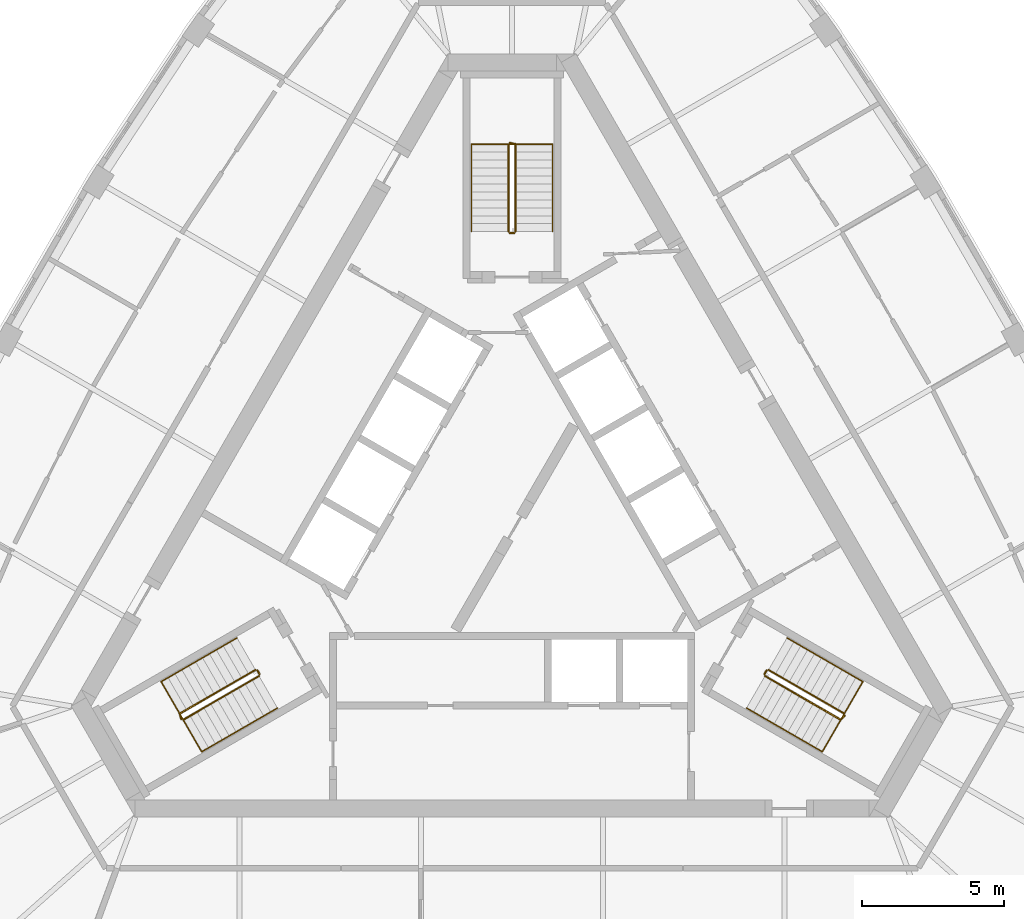
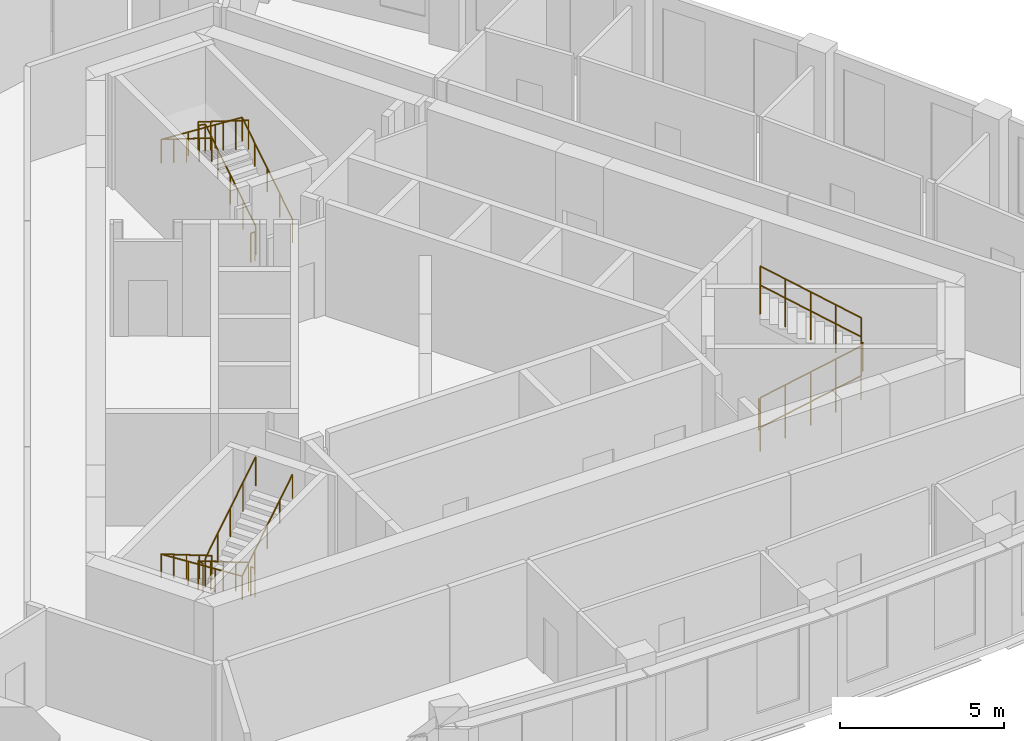
# One storey, part 10 of 10: 12 railings.
"""IFC4 building model written with IfcOpenShell, lengths in metres."""

from ifc_helpers import new_model, si_unit, direction, frame, origin, origin_2d, place, context, subcontext, project, spatial, circle, extrude, material, type_object, element, save


model = new_model("IFC4")

# Units and contexts
model_context = context("Model", 3, precision=1e-05, world=origin(), true_north=direction((0.0, 1.0)))
body_context = subcontext(model_context, "Body", "Model", "MODEL_VIEW")
ifc_project = project(units=[si_unit("LENGTHUNIT", "METRE"), si_unit("AREAUNIT", "SQUARE_METRE"), si_unit("VOLUMEUNIT", "CUBIC_METRE"), si_unit("PLANEANGLEUNIT", "RADIAN"), si_unit("MASSUNIT", "GRAM", prefix="KILO")], contexts=[model_context])

# Site, building, storey
site_placement = place(None, origin())
site = spatial("IfcSite", under=ifc_project, at=site_placement, CompositionType="ELEMENT")
building_placement = place(site_placement, origin())
building = spatial("IfcBuilding", under=site, at=building_placement, Name="Mestral Congress Tower", CompositionType="ELEMENT")
storey_placement = place(building_placement, frame((0.0, 0.0, 267.0)))
storey = spatial("IfcBuildingStorey", under=building, at=storey_placement, Name="L62", CompositionType="ELEMENT", Elevation=267.0)

# Railings
ifc_material_1 = material(Name="Steel balustrade", Category="steel")
railing_type_1 = type_object("IfcRailingType", Name="Stair guard 1100", PredefinedType="GUARDRAIL", material=ifc_material_1)
railing_1_placement = place(storey_placement, frame((8.90087890625, -5.283203125, 0.175048828125)))
element("IfcRailing", 1, at=railing_1_placement, inside=storey, type_object=railing_type_1, Name="L62 ST1 stair guard 1", PredefinedType="GUARDRAIL", context=body_context, shape_type="SweptSolid", body=[
    extrude(circle(Radius=0.02392578125, at=origin_2d()), frame((0.0, 0.0, 1.076171875), z_axis=(0.734364028329, -0.424015404183, 0.530019255228), x_axis=(0.500026652407, 0.866010015463, 0.0)), (0.0, 0.0, 1.0), 3.632080078125),
    extrude(circle(Radius=0.02392578125, at=origin_2d()), frame((2.667236328125, -1.5400390625, 3.0009765625), z_axis=(0.695164929852, 0.718850276695, 0.0), x_axis=(-0.718850276695, 0.695164929852, 0.0)), (0.0, 0.0, 1.0), 0.2060546875),
    extrude(circle(Radius=0.02099609375, at=origin_2d()), origin(), (0.0, 0.0, 1.0), 1.052001953125),
    extrude(circle(Radius=0.02099609375, at=origin_2d()), frame((0.666748046875, -0.385009765625, 0.481201171875)), (0.0, 0.0, 1.0), 1.052001953125),
    extrude(circle(Radius=0.02099609375, at=origin_2d()), frame((1.33349609375, -0.77001953125, 0.96240234375)), (0.0, 0.0, 1.0), 1.052001953125),
    extrude(circle(Radius=0.02099609375, at=origin_2d()), frame((2.00048828125, -1.155029296875, 1.44384765625)), (0.0, 0.0, 1.0), 1.052001953125),
    extrude(circle(Radius=0.02099609375, at=origin_2d()), frame((2.667236328125, -1.5400390625, 1.925048828125)), (0.0, 0.0, 1.0), 1.052001953125),
    extrude(circle(Radius=0.02099609375, at=origin_2d()), frame((2.810546875, -1.391845703125, 1.925048828125)), (0.0, 0.0, 1.0), 1.052001953125),
])
railing_2_placement = place(storey_placement, frame((11.693115234375, -6.606689453125, 2.27490234375)))
element("IfcRailing", 2, at=railing_2_placement, inside=storey, type_object=railing_type_1, Name="L62 ST1 stair guard 2", PredefinedType="GUARDRAIL", context=body_context, shape_type="SweptSolid", body=[
    extrude(circle(Radius=0.02392578125, at=origin_2d()), frame((0.0, 0.0, 1.076171875), z_axis=(-0.734364028329, 0.424015404183, 0.530019255228), x_axis=(-0.500026652407, -0.866010015463, 0.0)), (0.0, 0.0, 1.0), 3.632080078125),
    extrude(circle(Radius=0.02099609375, at=origin_2d()), origin(), (0.0, 0.0, 1.0), 1.052001953125),
    extrude(circle(Radius=0.02099609375, at=origin_2d()), frame((-0.666748046875, 0.385009765625, 0.481201171875)), (0.0, 0.0, 1.0), 1.052001953125),
    extrude(circle(Radius=0.02099609375, at=origin_2d()), frame((-1.33349609375, 0.77001953125, 0.96240234375)), (0.0, 0.0, 1.0), 1.052001953125),
    extrude(circle(Radius=0.02099609375, at=origin_2d()), frame((-2.00048828125, 1.155029296875, 1.44384765625)), (0.0, 0.0, 1.0), 1.052001953125),
    extrude(circle(Radius=0.02099609375, at=origin_2d()), frame((-2.667236328125, 1.5400390625, 1.925048828125)), (0.0, 0.0, 1.0), 1.052001953125),
])
railing_3_placement = place(storey_placement, frame((8.882568359375, -5.21484375, 0.0)))
element("IfcRailing", 3, at=railing_3_placement, inside=storey, type_object=railing_type_1, Name="L62 ST1 stair guard 3", PredefinedType="GUARDRAIL", context=body_context, shape_type="SweptSolid", body=[
    extrude(circle(Radius=0.02392578125, at=origin_2d()), frame((0.0, 0.0, 1.076171875), z_axis=(0.499816412211, 0.866131372301, 0.0), x_axis=(-0.866131372301, 0.499816412211, 0.0)), (0.0, 0.0, 1.0), 0.14990234375),
    extrude(circle(Radius=0.02099609375, at=origin_2d()), origin(), (0.0, 0.0, 1.0), 1.052001953125),
    extrude(circle(Radius=0.02099609375, at=origin_2d()), frame((0.074951171875, 0.1298828125, 0.0)), (0.0, 0.0, 1.0), 1.052001953125),
])
railing_4_placement = place(storey_placement, frame((0.125, 10.35009765625, 0.175048828125)))
element("IfcRailing", 4, at=railing_4_placement, inside=storey, type_object=railing_type_1, Name="L62 ST2 stair guard 1", PredefinedType="GUARDRAIL", context=body_context, shape_type="SweptSolid", body=[
    extrude(circle(Radius=0.02392578125, at=origin_2d()), frame((0.0, 0.0, 1.076171875), z_axis=(0.0, 0.847979421464, 0.530029150871), x_axis=(-1.0, 0.0, 0.0)), (0.0, 0.0, 1.0), 3.632080078125),
    extrude(circle(Radius=0.02392578125, at=origin_2d()), frame((0.0, 3.079833984375, 3.0009765625), z_axis=(-0.970072785993, 0.242814311512, 0.0), x_axis=(-0.242814311512, -0.970072785993, 0.0)), (0.0, 0.0, 1.0), 0.2060546875),
    extrude(circle(Radius=0.02099609375, at=origin_2d()), origin(), (0.0, 0.0, 1.0), 1.052001953125),
    extrude(circle(Radius=0.02099609375, at=origin_2d()), frame((0.0, 0.77001953125, 0.481201171875)), (0.0, 0.0, 1.0), 1.052001953125),
    extrude(circle(Radius=0.02099609375, at=origin_2d()), frame((0.0, 1.5400390625, 0.96240234375)), (0.0, 0.0, 1.0), 1.052001953125),
    extrude(circle(Radius=0.02099609375, at=origin_2d()), frame((0.0, 2.309814453125, 1.44384765625)), (0.0, 0.0, 1.0), 1.052001953125),
    extrude(circle(Radius=0.02099609375, at=origin_2d()), frame((0.0, 3.079833984375, 1.925048828125)), (0.0, 0.0, 1.0), 1.052001953125),
    extrude(circle(Radius=0.02099609375, at=origin_2d()), frame((-0.199951171875, 3.1298828125, 1.925048828125)), (0.0, 0.0, 1.0), 1.052001953125),
])
railing_5_placement = place(storey_placement, frame((-0.125, 13.429931640625, 2.27490234375)))
element("IfcRailing", 5, at=railing_5_placement, inside=storey, type_object=railing_type_1, Name="L62 ST2 stair guard 2", PredefinedType="GUARDRAIL", context=body_context, shape_type="SweptSolid", body=[
    extrude(circle(Radius=0.02392578125, at=origin_2d()), frame((0.0, 0.0, 1.076171875), z_axis=(0.0, -0.847979421464, 0.530029150871), x_axis=(1.0, 0.0, 0.0)), (0.0, 0.0, 1.0), 3.632080078125),
    extrude(circle(Radius=0.02099609375, at=origin_2d()), origin(), (0.0, 0.0, 1.0), 1.052001953125),
    extrude(circle(Radius=0.02099609375, at=origin_2d()), frame((0.0, -0.77001953125, 0.481201171875)), (0.0, 0.0, 1.0), 1.052001953125),
    extrude(circle(Radius=0.02099609375, at=origin_2d()), frame((0.0, -1.5400390625, 0.96240234375)), (0.0, 0.0, 1.0), 1.052001953125),
    extrude(circle(Radius=0.02099609375, at=origin_2d()), frame((0.0, -2.309814453125, 1.44384765625)), (0.0, 0.0, 1.0), 1.052001953125),
    extrude(circle(Radius=0.02099609375, at=origin_2d()), frame((0.0, -3.079833984375, 1.925048828125)), (0.0, 0.0, 1.0), 1.052001953125),
])
railing_6_placement = place(storey_placement, frame((0.074951171875, 10.300048828125, 0.0)))
element("IfcRailing", 6, at=railing_6_placement, inside=storey, type_object=railing_type_1, Name="L62 ST2 stair guard 3", PredefinedType="GUARDRAIL", context=body_context, shape_type="SweptSolid", body=[
    extrude(circle(Radius=0.02392578125, at=origin_2d()), frame((0.0, 0.0, 1.076171875), z_axis=(-1.0, 0.0, 0.0), x_axis=(0.0, -1.0, 0.0)), (0.0, 0.0, 1.0), 0.14990234375),
    extrude(circle(Radius=0.02099609375, at=origin_2d()), origin(), (0.0, 0.0, 1.0), 1.052001953125),
    extrude(circle(Radius=0.02099609375, at=origin_2d()), frame((-0.14990234375, 0.0, 0.0)), (0.0, 0.0, 1.0), 1.052001953125),
])
railing_7_placement = place(storey_placement, frame((-9.02587890625, -5.066650390625, 0.175048828125)))
element("IfcRailing", 7, at=railing_7_placement, inside=storey, type_object=railing_type_1, Name="L62 ST3 stair guard 1", PredefinedType="GUARDRAIL", context=body_context, shape_type="SweptSolid", body=[
    extrude(circle(Radius=0.02392578125, at=origin_2d()), frame((0.0, 0.0, 1.076171875), z_axis=(-0.734364028329, -0.424015404183, 0.530019255228), x_axis=(0.500026652407, -0.866010015463, 0.0)), (0.0, 0.0, 1.0), 3.632080078125),
    extrude(circle(Radius=0.02392578125, at=origin_2d()), frame((-2.667236328125, -1.5400390625, 3.0009765625), z_axis=(0.274721127897, -0.961523947641, 0.0), x_axis=(0.961523947641, 0.274721127897, 0.0)), (0.0, 0.0, 1.0), 0.2060546875),
    extrude(circle(Radius=0.02099609375, at=origin_2d()), origin(), (0.0, 0.0, 1.0), 1.052001953125),
    extrude(circle(Radius=0.02099609375, at=origin_2d()), frame((-0.666748046875, -0.385009765625, 0.481201171875)), (0.0, 0.0, 1.0), 1.052001953125),
    extrude(circle(Radius=0.02099609375, at=origin_2d()), frame((-1.33349609375, -0.77001953125, 0.96240234375)), (0.0, 0.0, 1.0), 1.052001953125),
    extrude(circle(Radius=0.02099609375, at=origin_2d()), frame((-2.00048828125, -1.155029296875, 1.44384765625)), (0.0, 0.0, 1.0), 1.052001953125),
    extrude(circle(Radius=0.02099609375, at=origin_2d()), frame((-2.667236328125, -1.5400390625, 1.925048828125)), (0.0, 0.0, 1.0), 1.052001953125),
    extrude(circle(Radius=0.02099609375, at=origin_2d()), frame((-2.610595703125, -1.73828125, 1.925048828125)), (0.0, 0.0, 1.0), 1.052001953125),
])
railing_8_placement = place(storey_placement, frame((-11.568115234375, -6.8232421875, 2.27490234375)))
element("IfcRailing", 8, at=railing_8_placement, inside=storey, type_object=railing_type_1, Name="L62 ST3 stair guard 2", PredefinedType="GUARDRAIL", context=body_context, shape_type="SweptSolid", body=[
    extrude(circle(Radius=0.02392578125, at=origin_2d()), frame((0.0, 0.0, 1.076171875), z_axis=(0.734364028329, 0.424015404183, 0.530019255228), x_axis=(-0.500026652407, 0.866010015463, 0.0)), (0.0, 0.0, 1.0), 3.632080078125),
    extrude(circle(Radius=0.02099609375, at=origin_2d()), origin(), (0.0, 0.0, 1.0), 1.052001953125),
    extrude(circle(Radius=0.02099609375, at=origin_2d()), frame((0.666748046875, 0.385009765625, 0.481201171875)), (0.0, 0.0, 1.0), 1.052001953125),
    extrude(circle(Radius=0.02099609375, at=origin_2d()), frame((1.33349609375, 0.77001953125, 0.96240234375)), (0.0, 0.0, 1.0), 1.052001953125),
    extrude(circle(Radius=0.02099609375, at=origin_2d()), frame((2.00048828125, 1.155029296875, 1.44384765625)), (0.0, 0.0, 1.0), 1.052001953125),
    extrude(circle(Radius=0.02099609375, at=origin_2d()), frame((2.667236328125, 1.5400390625, 1.925048828125)), (0.0, 0.0, 1.0), 1.052001953125),
])
railing_9_placement = place(storey_placement, frame((-8.95751953125, -5.0849609375, 0.0)))
element("IfcRailing", 9, at=railing_9_placement, inside=storey, type_object=railing_type_1, Name="L62 ST3 stair guard 3", PredefinedType="GUARDRAIL", context=body_context, shape_type="SweptSolid", body=[
    extrude(circle(Radius=0.02392578125, at=origin_2d()), frame((0.0, 0.0, 1.076171875), z_axis=(0.499816412211, -0.866131372301, 0.0), x_axis=(0.866131372301, 0.499816412211, 0.0)), (0.0, 0.0, 1.0), 0.14990234375),
    extrude(circle(Radius=0.02099609375, at=origin_2d()), origin(), (0.0, 0.0, 1.0), 1.052001953125),
    extrude(circle(Radius=0.02099609375, at=origin_2d()), frame((0.074951171875, -0.1298828125, 0.0)), (0.0, 0.0, 1.0), 1.052001953125),
])
ifc_material_2 = material(Name="Steel handrail", Category="steel")
railing_type_2 = type_object("IfcRailingType", Name="Stair handrail 900", PredefinedType="HANDRAIL", material=ifc_material_2)
railing_10_placement = place(storey_placement, frame((8.2509765625, -6.4091796875, 0.175048828125)))
element("IfcRailing", 10, at=railing_10_placement, inside=storey, type_object=railing_type_2, Name="L62 ST1 stair handrail 1", PredefinedType="HANDRAIL", context=body_context, shape_type="SweptSolid", body=[
    extrude(circle(Radius=0.02392578125, at=origin_2d()), frame((0.0, 0.0, 0.8759765625), z_axis=(0.734384958227, -0.423960268333, 0.530034361155), x_axis=(0.499967199496, 0.866044340336, 0.0)), (0.0, 0.0, 1.0), 3.6318359375),
    extrude(circle(Radius=0.02392578125, at=origin_2d()), frame((2.667236328125, -1.539794921875, 2.80078125), z_axis=(0.499098383545, 0.864379914213, 0.061222279016), x_axis=(-0.866004402611, 0.500036373335, 0.0)), (0.0, 0.0, 1.0), 2.855224609375),
    extrude(circle(Radius=0.02392578125, at=origin_2d()), frame((4.09228515625, 0.92822265625, 2.9755859375), z_axis=(-0.734394994316, 0.423994474112, 0.52999309264), x_axis=(-0.499992328818, -0.866029832698, 0.0)), (0.0, 0.0, 1.0), 3.63232421875),
    extrude(circle(Radius=0.02099609375, at=origin_2d()), origin(), (0.0, 0.0, 1.0), 0.851806640625),
    extrude(circle(Radius=0.02099609375, at=origin_2d()), frame((0.666748046875, -0.385009765625, 0.481201171875)), (0.0, 0.0, 1.0), 0.851806640625),
    extrude(circle(Radius=0.02099609375, at=origin_2d()), frame((1.33349609375, -0.77001953125, 0.96240234375)), (0.0, 0.0, 1.0), 0.851806640625),
    extrude(circle(Radius=0.02099609375, at=origin_2d()), frame((2.00048828125, -1.15478515625, 1.44384765625)), (0.0, 0.0, 1.0), 0.851806640625),
    extrude(circle(Radius=0.02099609375, at=origin_2d()), frame((2.667236328125, -1.539794921875, 1.925048828125)), (0.0, 0.0, 1.0), 0.851806640625),
    extrude(circle(Radius=0.02099609375, at=origin_2d()), frame((3.142333984375, -0.717041015625, 1.9833984375)), (0.0, 0.0, 1.0), 0.851806640625),
    extrude(circle(Radius=0.02099609375, at=origin_2d()), frame((3.6171875, 0.10546875, 2.04150390625)), (0.0, 0.0, 1.0), 0.851806640625),
    extrude(circle(Radius=0.02099609375, at=origin_2d()), frame((4.09228515625, 0.92822265625, 2.099853515625)), (0.0, 0.0, 1.0), 0.851806640625),
    extrude(circle(Radius=0.02099609375, at=origin_2d()), frame((3.42529296875, 1.313232421875, 2.5810546875)), (0.0, 0.0, 1.0), 0.851806640625),
    extrude(circle(Radius=0.02099609375, at=origin_2d()), frame((2.758544921875, 1.6982421875, 3.0625)), (0.0, 0.0, 1.0), 0.851806640625),
    extrude(circle(Radius=0.02099609375, at=origin_2d()), frame((2.091796875, 2.083251953125, 3.543701171875)), (0.0, 0.0, 1.0), 0.851806640625),
    extrude(circle(Radius=0.02099609375, at=origin_2d()), frame((1.4248046875, 2.46826171875, 4.02490234375)), (0.0, 0.0, 1.0), 0.851806640625),
])
railing_11_placement = place(storey_placement, frame((1.425048828125, 10.35009765625, 0.175048828125)))
element("IfcRailing", 11, at=railing_11_placement, inside=storey, type_object=railing_type_2, Name="L62 ST2 stair handrail 1", PredefinedType="HANDRAIL", context=body_context, shape_type="SweptSolid", body=[
    extrude(circle(Radius=0.02392578125, at=origin_2d()), frame((0.0, 0.0, 0.8759765625), z_axis=(0.0, 0.847979421464, 0.530029150871), x_axis=(-1.0, 0.0, 0.0)), (0.0, 0.0, 1.0), 3.632080078125),
    extrude(circle(Radius=0.02392578125, at=origin_2d()), frame((0.0, 3.079833984375, 2.80078125), z_axis=(-0.998124429008, 0.0, 0.061217842314), x_axis=(0.0, -1.0, 0.0)), (0.0, 0.0, 1.0), 2.85546875),
    extrude(circle(Radius=0.02392578125, at=origin_2d()), frame((-2.85009765625, 3.079833984375, 2.9755859375), z_axis=(0.0, -0.847979421464, 0.530029150871), x_axis=(1.0, 0.0, 0.0)), (0.0, 0.0, 1.0), 3.632080078125),
    extrude(circle(Radius=0.02099609375, at=origin_2d()), origin(), (0.0, 0.0, 1.0), 0.851806640625),
    extrude(circle(Radius=0.02099609375, at=origin_2d()), frame((0.0, 0.77001953125, 0.481201171875)), (0.0, 0.0, 1.0), 0.851806640625),
    extrude(circle(Radius=0.02099609375, at=origin_2d()), frame((0.0, 1.5400390625, 0.96240234375)), (0.0, 0.0, 1.0), 0.851806640625),
    extrude(circle(Radius=0.02099609375, at=origin_2d()), frame((0.0, 2.309814453125, 1.44384765625)), (0.0, 0.0, 1.0), 0.851806640625),
    extrude(circle(Radius=0.02099609375, at=origin_2d()), frame((0.0, 3.079833984375, 1.925048828125)), (0.0, 0.0, 1.0), 0.851806640625),
    extrude(circle(Radius=0.02099609375, at=origin_2d()), frame((-0.949951171875, 3.079833984375, 1.9833984375)), (0.0, 0.0, 1.0), 0.851806640625),
    extrude(circle(Radius=0.02099609375, at=origin_2d()), frame((-1.900146484375, 3.079833984375, 2.04150390625)), (0.0, 0.0, 1.0), 0.851806640625),
    extrude(circle(Radius=0.02099609375, at=origin_2d()), frame((-2.85009765625, 3.079833984375, 2.099853515625)), (0.0, 0.0, 1.0), 0.851806640625),
    extrude(circle(Radius=0.02099609375, at=origin_2d()), frame((-2.85009765625, 2.309814453125, 2.5810546875)), (0.0, 0.0, 1.0), 0.851806640625),
    extrude(circle(Radius=0.02099609375, at=origin_2d()), frame((-2.85009765625, 1.5400390625, 3.0625)), (0.0, 0.0, 1.0), 0.851806640625),
    extrude(circle(Radius=0.02099609375, at=origin_2d()), frame((-2.85009765625, 0.77001953125, 3.543701171875)), (0.0, 0.0, 1.0), 0.851806640625),
    extrude(circle(Radius=0.02099609375, at=origin_2d()), frame((-2.85009765625, 0.0, 4.02490234375)), (0.0, 0.0, 1.0), 0.851806640625),
])
railing_12_placement = place(storey_placement, frame((-9.67578125, -3.94091796875, 0.175048828125)))
element("IfcRailing", 12, at=railing_12_placement, inside=storey, type_object=railing_type_2, Name="L62 ST3 stair handrail 1", PredefinedType="HANDRAIL", context=body_context, shape_type="SweptSolid", body=[
    extrude(circle(Radius=0.02392578125, at=origin_2d()), frame((0.0, 0.0, 0.8759765625), z_axis=(-0.734394994316, -0.423994474112, 0.52999309264), x_axis=(0.499992328818, -0.866029832698, 0.0)), (0.0, 0.0, 1.0), 3.63232421875),
    extrude(circle(Radius=0.02392578125, at=origin_2d()), frame((-2.66748046875, -1.5400390625, 2.80078125), z_axis=(0.499098383545, -0.864379914213, 0.061222279016), x_axis=(0.866004402611, 0.500036373335, 0.0)), (0.0, 0.0, 1.0), 2.855224609375),
    extrude(circle(Radius=0.02392578125, at=origin_2d()), frame((-1.242431640625, -4.008056640625, 2.9755859375), z_axis=(0.734384958227, 0.423960268333, 0.530034361155), x_axis=(-0.499967199496, 0.866044340336, 0.0)), (0.0, 0.0, 1.0), 3.6318359375),
    extrude(circle(Radius=0.02099609375, at=origin_2d()), origin(), (0.0, 0.0, 1.0), 0.851806640625),
    extrude(circle(Radius=0.02099609375, at=origin_2d()), frame((-0.6669921875, -0.385009765625, 0.481201171875)), (0.0, 0.0, 1.0), 0.851806640625),
    extrude(circle(Radius=0.02099609375, at=origin_2d()), frame((-1.333740234375, -0.77001953125, 0.96240234375)), (0.0, 0.0, 1.0), 0.851806640625),
    extrude(circle(Radius=0.02099609375, at=origin_2d()), frame((-2.00048828125, -1.155029296875, 1.44384765625)), (0.0, 0.0, 1.0), 0.851806640625),
    extrude(circle(Radius=0.02099609375, at=origin_2d()), frame((-2.66748046875, -1.5400390625, 1.925048828125)), (0.0, 0.0, 1.0), 0.851806640625),
    extrude(circle(Radius=0.02099609375, at=origin_2d()), frame((-2.1923828125, -2.36279296875, 1.9833984375)), (0.0, 0.0, 1.0), 0.851806640625),
    extrude(circle(Radius=0.02099609375, at=origin_2d()), frame((-1.717529296875, -3.185302734375, 2.04150390625)), (0.0, 0.0, 1.0), 0.851806640625),
    extrude(circle(Radius=0.02099609375, at=origin_2d()), frame((-1.242431640625, -4.008056640625, 2.099853515625)), (0.0, 0.0, 1.0), 0.851806640625),
    extrude(circle(Radius=0.02099609375, at=origin_2d()), frame((-0.57568359375, -3.623046875, 2.5810546875)), (0.0, 0.0, 1.0), 0.851806640625),
    extrude(circle(Radius=0.02099609375, at=origin_2d()), frame((0.09130859375, -3.23828125, 3.0625)), (0.0, 0.0, 1.0), 0.851806640625),
    extrude(circle(Radius=0.02099609375, at=origin_2d()), frame((0.758056640625, -2.853271484375, 3.543701171875)), (0.0, 0.0, 1.0), 0.851806640625),
    extrude(circle(Radius=0.02099609375, at=origin_2d()), frame((1.4248046875, -2.46826171875, 4.02490234375)), (0.0, 0.0, 1.0), 0.851806640625),
])

save(model, "model.ifc")
